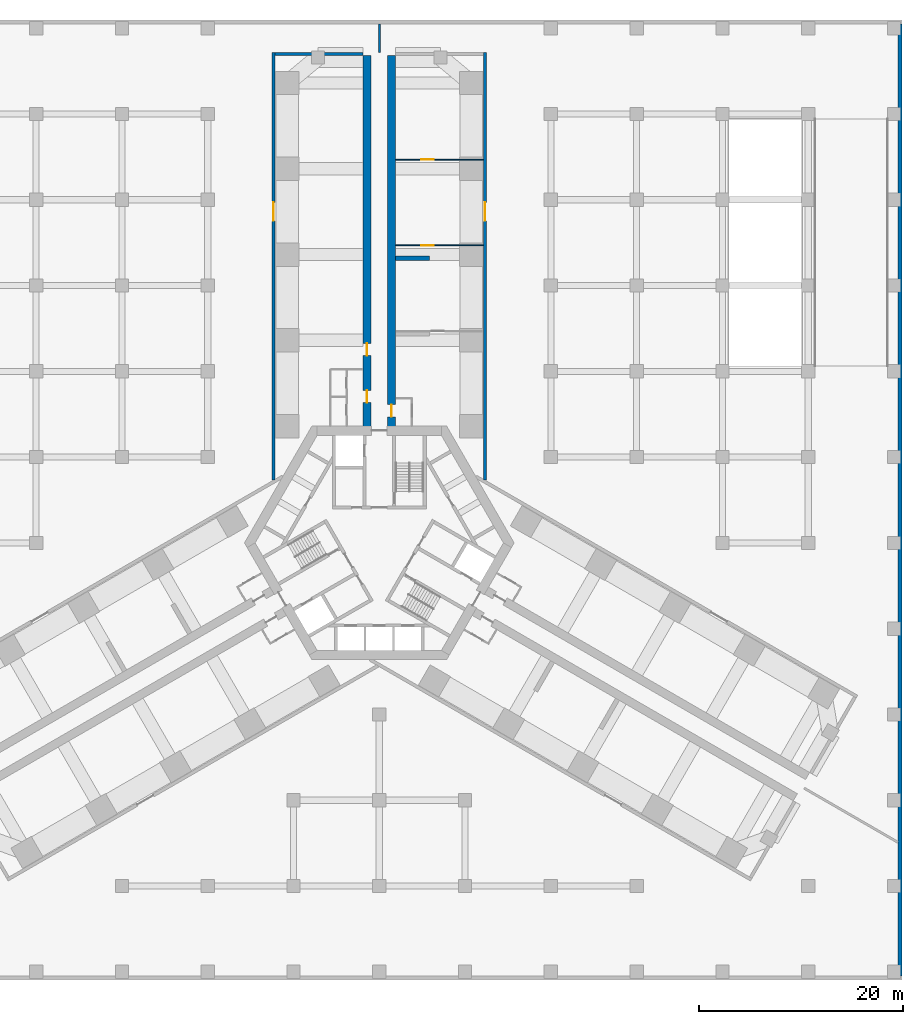
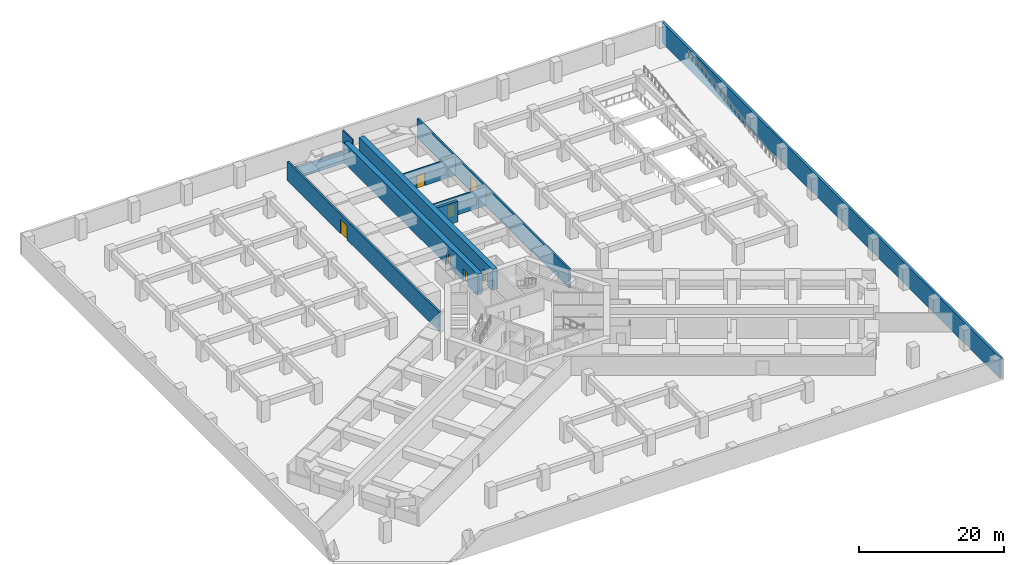
# One storey, part 9 of 11: 10 walls, 7 doors, 7 openings.
"""IFC4 building model written with IfcOpenShell, lengths in metres."""

from ifc_helpers import new_model, si_unit, direction, frame, frame_2d, origin, place, context, subcontext, project, spatial, rectangle, extrude, material, layer, layer_set, type_object, element, fill, save


model = new_model("IFC4")

# Units and contexts
model_context = context("Model", 3, precision=1e-05, world=origin(), true_north=direction((0.0, 1.0)))
body_context = subcontext(model_context, "Body", "Model", "MODEL_VIEW")
ifc_project = project(units=[si_unit("LENGTHUNIT", "METRE"), si_unit("AREAUNIT", "SQUARE_METRE"), si_unit("VOLUMEUNIT", "CUBIC_METRE"), si_unit("PLANEANGLEUNIT", "RADIAN"), si_unit("MASSUNIT", "GRAM", prefix="KILO")], contexts=[model_context])

# Site, building, storey
site_placement = place(None, origin())
site = spatial("IfcSite", under=ifc_project, at=site_placement, CompositionType="ELEMENT")
building_placement = place(site_placement, origin())
building = spatial("IfcBuilding", under=site, at=building_placement, Name="Impinga Residences", CompositionType="ELEMENT")
storey_placement = place(building_placement, frame((0.0, 0.0, -7.0)))
storey = spatial("IfcBuildingStorey", under=building, at=storey_placement, Name="B2", CompositionType="ELEMENT", Elevation=-7.0)

# Wall, openings, doors
ifc_material_1 = material(Name="Concrete C70/85", Category="concrete")
ifc_layer_1 = layer(ifc_material_1, 0.800048828125)
ifc_layer_set_1 = layer_set([ifc_layer_1], Name="Concrete C70/85")
wall_type_1 = type_object("IfcWallType", Name="BW0 corridor buttress wall, B3 to L04 800", PredefinedType="SHEAR", material=ifc_layer_set_1)
wall_1_placement = place(storey_placement, frame((-1.199951171875, 10.9814453125, 0.0), z_axis=(0.0, 0.0, 1.0), x_axis=(0.0, 1.0, 0.0)))
wall_1 = element("IfcWall", 1, at=wall_1_placement, inside=storey, type_object=wall_type_1, Name="Corridor wall BW0 NC B2", PredefinedType="SHEAR", context=body_context, shape_type="SweptSolid", body=[
    extrude(rectangle(XDim=36.75, YDim=0.800048828125, at=frame_2d((18.375, 0.0))), origin(), (0.0, 0.0, 1.0), 3.5),
])
opening_1_placement = place(wall_1_placement, frame((2.75, 0.0, 0.0)))
opening_1 = element("IfcOpeningElement", 2, at=opening_1_placement, cuts=wall_1, Name="Opening D3", PredefinedType="OPENING", context=body_context, shape_type="SweptSolid", body=[
    extrude(rectangle(XDim=1.199951171875, YDim=2.10009765625, at=frame_2d((0.60009765625, 1.050048828125))), frame((0.0, 0.409912109375, 0.0), z_axis=(0.0, -1.0, 0.0), x_axis=(1.0, 0.0, 0.0)), (0.0, 0.0, 1.0), 0.820068359375),
])
opening_2_placement = place(wall_1_placement, frame((7.35009765625, 0.0, 0.0)))
opening_2 = element("IfcOpeningElement", 3, at=opening_2_placement, cuts=wall_1, Name="Opening D3", PredefinedType="OPENING", context=body_context, shape_type="SweptSolid", body=[
    extrude(rectangle(XDim=1.199951171875, YDim=2.10009765625, at=frame_2d((0.60009765625, 1.050048828125))), frame((0.0, 0.409912109375, 0.0), z_axis=(0.0, -1.0, 0.0), x_axis=(1.0, 0.0, 0.0)), (0.0, 0.0, 1.0), 0.820068359375),
])
ifc_material_2 = material(Name="Timber door set", Category="wood")
door_type_1 = type_object("IfcDoorType", Name="D3 room door, leaf and a half 1200x2100", OperationType="DOUBLE_SWING_LEFT", PredefinedType="DOOR", material=ifc_material_2)
door_1_placement = place(opening_1_placement, origin())
door_1 = element("IfcDoor", 4, at=door_1_placement, inside=storey, type_object=door_type_1, Name="WC lobby door B2-NA1", OperationType="DOUBLE_SWING_LEFT", OverallHeight=2.10009765625, OverallWidth=1.199951171875, PredefinedType="DOOR", context=body_context, shape_type="SweptSolid", body=[
    extrude(rectangle(XDim=1.199951171875, YDim=2.10009765625, at=frame_2d((0.60009765625, 1.050048828125))), frame((0.0, 0.02490234375, 0.0), z_axis=(0.0, -1.0, 0.0), x_axis=(1.0, 0.0, 0.0)), (0.0, 0.0, 1.0), 0.050048828125),
])
fill(opening_1, door_1)
door_2_placement = place(opening_2_placement, origin())
door_2 = element("IfcDoor", 5, at=door_2_placement, inside=storey, type_object=door_type_1, Name="Storage cages door B2-NA1", OperationType="DOUBLE_SWING_LEFT", OverallHeight=2.10009765625, OverallWidth=1.199951171875, PredefinedType="DOOR", context=body_context, shape_type="SweptSolid", body=[
    extrude(rectangle(XDim=1.199951171875, YDim=2.10009765625, at=frame_2d((0.60009765625, 1.050048828125))), frame((0.0, 0.02490234375, 0.0), z_axis=(0.0, -1.0, 0.0), x_axis=(1.0, 0.0, 0.0)), (0.0, 0.0, 1.0), 0.050048828125),
])
fill(opening_2, door_2)

# Wall, opening, door
wall_2_placement = place(storey_placement, frame((1.199951171875, 10.9814453125, 0.0), z_axis=(0.0, 0.0, 1.0), x_axis=(0.0, 1.0, 0.0)))
wall_2 = element("IfcWall", 6, at=wall_2_placement, inside=storey, type_object=wall_type_1, Name="Corridor wall BW0 ND B2", PredefinedType="SHEAR", context=body_context, shape_type="SweptSolid", body=[
    extrude(rectangle(XDim=36.75, YDim=0.800048828125, at=frame_2d((18.375, 0.0))), origin(), (0.0, 0.0, 1.0), 3.5),
])
opening_3_placement = place(wall_2_placement, frame((1.35009765625, 0.0, 0.0)))
opening_3 = element("IfcOpeningElement", 7, at=opening_3_placement, cuts=wall_2, Name="Opening D3", PredefinedType="OPENING", context=body_context, shape_type="SweptSolid", body=[
    extrude(rectangle(XDim=1.199951171875, YDim=2.10009765625, at=frame_2d((0.60009765625, 1.050048828125))), frame((0.0, 0.409912109375, 0.0), z_axis=(0.0, -1.0, 0.0), x_axis=(1.0, 0.0, 0.0)), (0.0, 0.0, 1.0), 0.820068359375),
])
door_3_placement = place(opening_3_placement, origin())
door_3 = element("IfcDoor", 8, at=door_3_placement, inside=storey, type_object=door_type_1, Name="Plant room lobby door B2-NF1", OperationType="DOUBLE_SWING_LEFT", OverallHeight=2.10009765625, OverallWidth=1.199951171875, PredefinedType="DOOR", context=body_context, shape_type="SweptSolid", body=[
    extrude(rectangle(XDim=1.199951171875, YDim=2.10009765625, at=frame_2d((0.60009765625, 1.050048828125))), frame((0.0, 0.02490234375, 0.0), z_axis=(0.0, -1.0, 0.0), x_axis=(1.0, 0.0, 0.0)), (0.0, 0.0, 1.0), 0.050048828125),
])
fill(opening_3, door_3)

ifc_material_3 = material(Name="Concrete blockwork", Category="masonry")
ifc_layer_2 = layer(ifc_material_3, 0.10009765625)
ifc_layer_set_2 = layer_set([ifc_layer_2], Name="CP1 core room partition, blockwork 100")
wall_type_2 = type_object("IfcWallType", Name="CP1 core room partition, blockwork 100", PredefinedType="PARTITIONING", material=ifc_layer_set_2)
wall_3_placement = place(storey_placement, frame((1.60009765625, 29.131591796875, 0.0), z_axis=(0.0, 0.0, 1.0), x_axis=(1.0, 0.0, 0.0)))
wall_3 = element("IfcWall", 9, at=wall_3_placement, inside=storey, type_object=wall_type_2, Name="Core room partition, blockwork B2-NF1:PS2", PredefinedType="PARTITIONING", context=body_context, shape_type="SweptSolid", body=[
    extrude(rectangle(XDim=8.599853515625, YDim=0.10009765625, at=frame_2d((4.2998046875, 0.0))), origin(), (0.0, 0.0, 1.0), 3.199951171875),
])
opening_4_placement = place(wall_3_placement, frame((2.52490234375, 0.0, 0.0)))
opening_4 = element("IfcOpeningElement", 10, at=opening_4_placement, cuts=wall_3, Name="Opening D3", PredefinedType="OPENING", context=body_context, shape_type="SweptSolid", body=[
    extrude(rectangle(XDim=1.199951171875, YDim=2.10009765625, at=frame_2d((0.60009765625, 1.050048828125))), frame((0.0, 0.06005859375, 0.0), z_axis=(0.0, -1.0, 0.0), x_axis=(1.0, 0.0, 0.0)), (0.0, 0.0, 1.0), 0.1201171875),
])
door_4_placement = place(opening_4_placement, origin())
door_4 = element("IfcDoor", 11, at=door_4_placement, inside=storey, type_object=door_type_1, Name="Plant room door B2-NF1", OperationType="DOUBLE_SWING_LEFT", OverallHeight=2.10009765625, OverallWidth=1.199951171875, PredefinedType="DOOR", context=body_context, shape_type="SweptSolid", body=[
    extrude(rectangle(XDim=1.199951171875, YDim=2.10009765625, at=frame_2d((0.60009765625, 1.050048828125))), frame((0.0, 0.02490234375, 0.0), z_axis=(0.0, -1.0, 0.0), x_axis=(1.0, 0.0, 0.0)), (0.0, 0.0, 1.0), 0.050048828125),
])
fill(opening_4, door_4)

wall_4_placement = place(storey_placement, frame((1.60009765625, 37.531494140625, 0.0), z_axis=(0.0, 0.0, 1.0), x_axis=(1.0, 0.0, 0.0)))
wall_4 = element("IfcWall", 12, at=wall_4_placement, inside=storey, type_object=wall_type_2, Name="Core room partition, blockwork B2-NF1:PS3", PredefinedType="PARTITIONING", context=body_context, shape_type="SweptSolid", body=[
    extrude(rectangle(XDim=8.599853515625, YDim=0.10009765625, at=frame_2d((4.2998046875, 0.0))), origin(), (0.0, 0.0, 1.0), 3.199951171875),
])
opening_5_placement = place(wall_4_placement, frame((2.52490234375, 0.0, 0.0)))
opening_5 = element("IfcOpeningElement", 13, at=opening_5_placement, cuts=wall_4, Name="Opening D3", PredefinedType="OPENING", context=body_context, shape_type="SweptSolid", body=[
    extrude(rectangle(XDim=1.199951171875, YDim=2.10009765625, at=frame_2d((0.60009765625, 1.050048828125))), frame((0.0, 0.06005859375, 0.0), z_axis=(0.0, -1.0, 0.0), x_axis=(1.0, 0.0, 0.0)), (0.0, 0.0, 1.0), 0.1201171875),
])
door_5_placement = place(opening_5_placement, origin())
door_5 = element("IfcDoor", 14, at=door_5_placement, inside=storey, type_object=door_type_1, Name="Water meter room door B2-NF1", OperationType="DOUBLE_SWING_LEFT", OverallHeight=2.10009765625, OverallWidth=1.199951171875, PredefinedType="DOOR", context=body_context, shape_type="SweptSolid", body=[
    extrude(rectangle(XDim=1.199951171875, YDim=2.10009765625, at=frame_2d((0.60009765625, 1.050048828125))), frame((0.0, 0.02490234375, 0.0), z_axis=(0.0, -1.0, 0.0), x_axis=(1.0, 0.0, 0.0)), (0.0, 0.0, 1.0), 0.050048828125),
])
fill(opening_5, door_5)

# Walls
ifc_layer_3 = layer(ifc_material_3, 0.199951171875)
ifc_layer_set_3 = layer_set([ifc_layer_3], Name="PW2 podium compartment wall 200")
wall_type_3 = type_object("IfcWallType", Name="PW2 podium compartment wall 200", PredefinedType="SOLIDWALL", material=ifc_layer_set_3)
wall_5_placement = place(storey_placement, frame((0.0, 48.031494140625, 0.0), z_axis=(0.0, 0.0, 1.0), x_axis=(0.0, 1.0, 0.0)))
element("IfcWall", 15, at=wall_5_placement, inside=storey, type_object=wall_type_3, Name="Podium compartment wall B2:REG:N", PredefinedType="SOLIDWALL", context=body_context, shape_type="SweptSolid", body=[
    extrude(rectangle(XDim=2.7685546875, YDim=0.199951171875, at=frame_2d((1.38427734375, 0.0))), origin(), (0.0, 0.0, 1.0), 3.199951171875),
])
ifc_layer_4 = layer(ifc_material_3, 0.300048828125)
ifc_layer_set_4 = layer_set([ifc_layer_4], Name="PW3 podium wall on the wing face 300")
wall_type_4 = type_object("IfcWallType", Name="PW3 podium wall on the wing face 300", PredefinedType="SOLIDWALL", material=ifc_layer_set_4)
wall_6_placement = place(storey_placement, frame((-1.60009765625, 47.881591796875, 0.0), z_axis=(0.0, 0.0, 1.0), x_axis=(-1.0, 0.0, 0.0)))
element("IfcWall", 16, at=wall_6_placement, inside=storey, type_object=wall_type_4, Name="Podium wall on the wing face B2:END:NA", PredefinedType="SOLIDWALL", context=body_context, shape_type="SweptSolid", body=[
    extrude(rectangle(XDim=8.599853515625, YDim=0.300048828125, at=frame_2d((4.2998046875, 0.0))), origin(), (0.0, 0.0, 1.0), 1.89990234375),
])

# Wall, opening, door
wall_7_placement = place(storey_placement, frame((-10.35009765625, 6.148681640625, 0.0), z_axis=(0.0, 0.0, 1.0), x_axis=(0.0, 1.0, 0.0)))
wall_7 = element("IfcWall", 17, at=wall_7_placement, inside=storey, type_object=wall_type_4, Name="Podium wall on the wing face B2:SIDE:NA0", PredefinedType="SOLIDWALL", context=body_context, shape_type="SweptSolid", body=[
    extrude(rectangle(XDim=41.8828125, YDim=0.300048828125, at=frame_2d((20.94140625, 0.0))), origin(), (0.0, 0.0, 1.0), 3.199951171875),
])
opening_6_placement = place(wall_7_placement, frame((25.3828125, 0.0, 0.0)))
opening_6 = element("IfcOpeningElement", 18, at=opening_6_placement, cuts=wall_7, Name="Opening D7", PredefinedType="OPENING", context=body_context, shape_type="SweptSolid", body=[
    extrude(rectangle(XDim=1.800048828125, YDim=2.39990234375, at=frame_2d((0.89990234375, 1.199951171875))), frame((0.0, 0.159912109375, 0.0), z_axis=(0.0, -1.0, 0.0), x_axis=(1.0, 0.0, 0.0)), (0.0, 0.0, 1.0), 0.320068359375),
])
door_type_2 = type_object("IfcDoorType", Name="D7 podium door pair 1800x2400", OperationType="DOUBLE_DOOR_DOUBLE_SWING", PredefinedType="DOOR", material=ifc_material_2)
door_6_placement = place(opening_6_placement, origin())
door_6 = element("IfcDoor", 19, at=door_6_placement, inside=storey, type_object=door_type_2, Name="Double door NA", OperationType="DOUBLE_DOOR_DOUBLE_SWING", OverallHeight=2.39990234375, OverallWidth=1.800048828125, PredefinedType="DOOR", context=body_context, shape_type="SweptSolid", body=[
    extrude(rectangle(XDim=1.800048828125, YDim=2.39990234375, at=frame_2d((0.89990234375, 1.199951171875))), frame((0.0, 0.02490234375, 0.0), z_axis=(0.0, -1.0, 0.0), x_axis=(1.0, 0.0, 0.0)), (0.0, 0.0, 1.0), 0.050048828125),
])
fill(opening_6, door_6)

wall_8_placement = place(storey_placement, frame((10.35009765625, 6.148681640625, 0.0), z_axis=(0.0, 0.0, 1.0), x_axis=(0.0, 1.0, 0.0)))
wall_8 = element("IfcWall", 20, at=wall_8_placement, inside=storey, type_object=wall_type_4, Name="Podium wall on the wing face B2:SIDE:NF0", PredefinedType="SOLIDWALL", context=body_context, shape_type="SweptSolid", body=[
    extrude(rectangle(XDim=41.8828125, YDim=0.300048828125, at=frame_2d((20.94140625, 0.0))), origin(), (0.0, 0.0, 1.0), 3.199951171875),
])
opening_7_placement = place(wall_8_placement, frame((25.3828125, 0.0, 0.0)))
opening_7 = element("IfcOpeningElement", 21, at=opening_7_placement, cuts=wall_8, Name="Opening D7", PredefinedType="OPENING", context=body_context, shape_type="SweptSolid", body=[
    extrude(rectangle(XDim=1.800048828125, YDim=2.39990234375, at=frame_2d((0.89990234375, 1.199951171875))), frame((0.0, 0.159912109375, 0.0), z_axis=(0.0, -1.0, 0.0), x_axis=(1.0, 0.0, 0.0)), (0.0, 0.0, 1.0), 0.320068359375),
])
door_7_placement = place(opening_7_placement, origin())
door_7 = element("IfcDoor", 22, at=door_7_placement, inside=storey, type_object=door_type_2, Name="Double door NF", OperationType="DOUBLE_DOOR_DOUBLE_SWING", OverallHeight=2.39990234375, OverallWidth=1.800048828125, PredefinedType="DOOR", context=body_context, shape_type="SweptSolid", body=[
    extrude(rectangle(XDim=1.800048828125, YDim=2.39990234375, at=frame_2d((0.89990234375, 1.199951171875))), frame((0.0, 0.02490234375, 0.0), z_axis=(0.0, -1.0, 0.0), x_axis=(1.0, 0.0, 0.0)), (0.0, 0.0, 1.0), 0.050048828125),
])
fill(opening_7, door_7)

# Walls
ifc_material_4 = material(Name="Concrete C60/75", Category="concrete")
ifc_layer_5 = layer(ifc_material_4, 0.39990234375)
ifc_layer_set_5 = layer_set([ifc_layer_5], Name="Concrete C60/75")
wall_type_5 = type_object("IfcWallType", Name="RW1 basement retaining wall 400", PredefinedType="USERDEFINED", material=ifc_layer_set_5)
wall_9_placement = place(storey_placement, frame((51.0, -42.39990234375, 0.0), z_axis=(0.0, 0.0, 1.0), x_axis=(0.0, 1.0, 0.0)))
element("IfcWall", 23, at=wall_9_placement, inside=storey, type_object=wall_type_5, Name="Retaining wall RW1 E B2", ObjectType="RETAINING WALL", PredefinedType="USERDEFINED", context=body_context, shape_type="SweptSolid", body=[
    extrude(rectangle(XDim=93.199951171875, YDim=0.39990234375, at=frame_2d((46.60009765625, 0.0))), origin(), (0.0, 0.0, 1.0), 3.5),
])
ifc_layer_6 = layer(ifc_material_4, 0.449951171875)
ifc_layer_set_6 = layer_set([ifc_layer_6], Name="Concrete C60/75")
wall_type_6 = type_object("IfcWallType", Name="SE3 wing stair end wall carried down to the raft, basements 450", PredefinedType="SOLIDWALL", material=ifc_layer_set_6)
wall_10_placement = place(storey_placement, frame((1.60009765625, 27.8564453125, 0.0), z_axis=(0.0, 0.0, 1.0), x_axis=(1.0, 0.0, 0.0)))
element("IfcWall", 24, at=wall_10_placement, inside=storey, type_object=wall_type_6, Name="Stair enclosure wall SE3 N END1 B2", PredefinedType="SOLIDWALL", context=body_context, shape_type="SweptSolid", body=[
    extrude(rectangle(XDim=3.2998046875, YDim=0.449951171875, at=frame_2d((1.64990234375, 0.0))), origin(), (0.0, 0.0, 1.0), 3.5),
])

save(model, "model.ifc")
